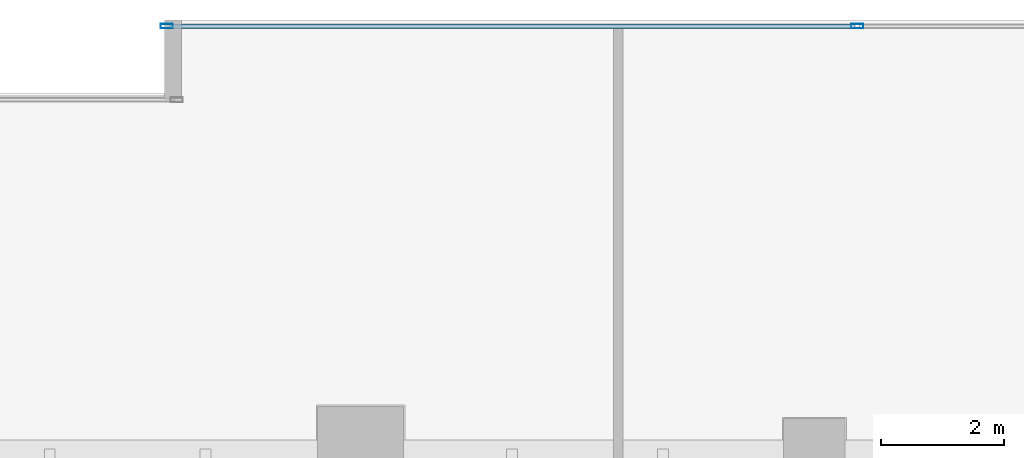
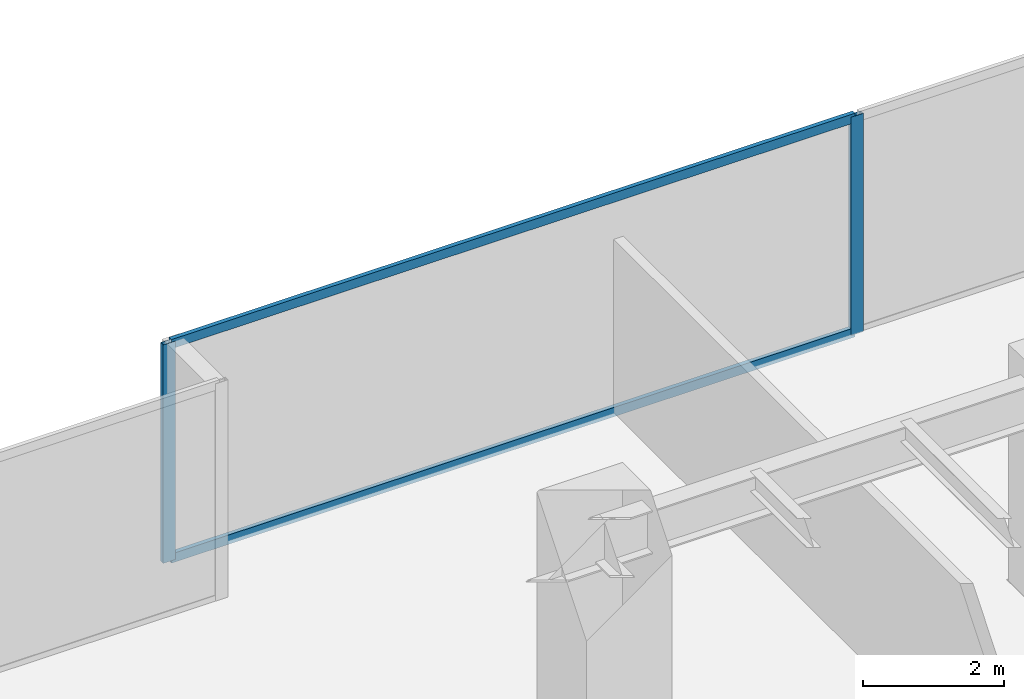
# One storey, part 22 of 36: 4 members, 1 element without a shape of its own.
"""IFC4 building model written with IfcOpenShell, lengths in metres."""

from ifc_helpers import new_model, si_unit, direction, frame, origin, origin_2d, place, context, subcontext, project, spatial, hollow_rectangle, extrude, source, transform, mapped, material, layer, layer_set, material_profile, profile_set, type_object, type_shapes, element, aggregate, save


model = new_model("IFC4")

# Units and contexts
model_context = context("Model", 3, precision=1e-05, world=origin(), true_north=direction((0.0, 1.0)))
body_context = subcontext(model_context, "Body", "Model", "MODEL_VIEW")
ifc_project = project(units=[si_unit("LENGTHUNIT", "METRE"), si_unit("AREAUNIT", "SQUARE_METRE"), si_unit("VOLUMEUNIT", "CUBIC_METRE"), si_unit("PLANEANGLEUNIT", "RADIAN"), si_unit("MASSUNIT", "GRAM", prefix="KILO")], contexts=[model_context])

# Site, building, storey
site_placement = place(None, origin())
site = spatial("IfcSite", under=ifc_project, at=site_placement, CompositionType="ELEMENT")
building_placement = place(site_placement, origin())
building = spatial("IfcBuilding", under=site, at=building_placement, Name="Haelvirn Gate Laboratories", CompositionType="ELEMENT")
storey_placement = place(building_placement, frame((0.0, 0.0, 49.800048828125)))
storey = spatial("IfcBuildingStorey", under=building, at=storey_placement, Name="L12", CompositionType="ELEMENT", Elevation=49.800048828125)

# Curtain wall, members
ifc_material_1 = material(Name="Anodised bronze unitised aluminium & triple low-E glass", Category="aluminium")
ifc_layer = layer(ifc_material_1, 0.18408203125, Name="CW-SYS-2")
ifc_layer_set = layer_set([ifc_layer], Name="Anodised bronze unitised aluminium & triple low-E glass")
curtain_wall_type = type_object("IfcCurtainWallType", Name="CW-SYS-2", PredefinedType="NOTDEFINED", material=ifc_layer_set)
curtain_wall_placement = place(storey_placement, origin())
curtain_wall = element("IfcCurtainWall", 1, at=curtain_wall_placement, inside=storey, type_object=curtain_wall_type, Name="L12 Unitised Curtain Wall CW-L12-P0-E10-1", PredefinedType="NOTDEFINED")
ifc_material_2 = material(Name="Extruded aluminium 6063-T6 (anodised bronze)", Category="aluminium")
ifc_material_profile_1 = material_profile(ifc_material_2, hollow_rectangle(XDim=0.074951171875, YDim=0.199951171875, WallThickness=0.0048828125, at=origin_2d()), Name="CWM-200x75x5")
ifc_profile_set_1 = profile_set([ifc_material_profile_1], Name="Extruded aluminium 6063-T6 (anodised bronze)")
member_type_1 = type_object("IfcMemberType", Name="CWM-T200", PredefinedType="MULLION", material=ifc_profile_set_1)
shared_shape_1 = source(origin(), body_context, "Body", "SweptSolid", [
    extrude(hollow_rectangle(XDim=0.074951171875, YDim=0.199951171875, WallThickness=0.0048828125, at=origin_2d()), origin(), (0.0, 0.0, 1.0), 3.780029296875),
])
type_shapes(member_type_1, [shared_shape_1])
member_1_placement = place(storey_placement, frame((49.4375, 48.5, 0.0), z_axis=(0.0, 0.0, 1.0), x_axis=(0.0, 1.0, 0.0)))
member_1 = element("IfcMember", 2, at=member_1_placement, type_object=member_type_1, Name="CW2 mullion 1", PredefinedType="MULLION", context=body_context, shape_type="MappedRepresentation", body=[
    mapped(shared_shape_1, transform((0.0, 0.0, 0.0), scale=1.0)),
])
member_2_placement = place(storey_placement, frame((60.699951171875, 48.5, 0.0), z_axis=(0.0, 0.0, 1.0), x_axis=(0.0, 1.0, 0.0)))
member_2 = element("IfcMember", 3, at=member_2_placement, type_object=member_type_1, Name="CW2 mullion 2", PredefinedType="MULLION", context=body_context, shape_type="MappedRepresentation", body=[
    mapped(shared_shape_1, transform((0.0, 0.0, 0.0), scale=1.0)),
])
ifc_material_profile_2 = material_profile(ifc_material_2, hollow_rectangle(XDim=0.070068359375, YDim=0.159912109375, WallThickness=0.0048828125, at=origin_2d()), Name="CWT-160x70x5")
ifc_profile_set_2 = profile_set([ifc_material_profile_2], Name="Extruded aluminium 6063-T6 (anodised bronze)")
member_type_2 = type_object("IfcMemberType", Name="CWT-T160", PredefinedType="USERDEFINED", material=ifc_profile_set_2)
shared_shape_2 = source(origin(), body_context, "Body", "SweptSolid", [
    extrude(hollow_rectangle(XDim=0.070068359375, YDim=0.159912109375, WallThickness=0.0048828125, at=origin_2d()), origin(), (0.0, 0.0, 1.0), 11.1875),
])
type_shapes(member_type_2, [shared_shape_2])
member_3_placement = place(storey_placement, frame((49.47509765625, 48.5, 0.034912109375), z_axis=(1.0, 0.0, 0.0), x_axis=(0.0, 1.0, 0.0)))
member_3 = element("IfcMember", 4, at=member_3_placement, type_object=member_type_2, Name="CW2 transom 1.1", ObjectType="TRANSOM", PredefinedType="USERDEFINED", context=body_context, shape_type="MappedRepresentation", body=[
    mapped(shared_shape_2, transform((0.0, 0.0, 0.0), scale=1.0)),
])
member_4_placement = place(storey_placement, frame((49.47509765625, 48.5, 3.744873046875), z_axis=(1.0, 0.0, 0.0), x_axis=(0.0, 1.0, 0.0)))
member_4 = element("IfcMember", 5, at=member_4_placement, type_object=member_type_2, Name="CW2 transom 1.2", ObjectType="TRANSOM", PredefinedType="USERDEFINED", context=body_context, shape_type="MappedRepresentation", body=[
    mapped(shared_shape_2, transform((0.0, 0.0, 0.0), scale=1.0)),
])
aggregate(curtain_wall, [member_1, member_2, member_3, member_4])

save(model, "model.ifc")
